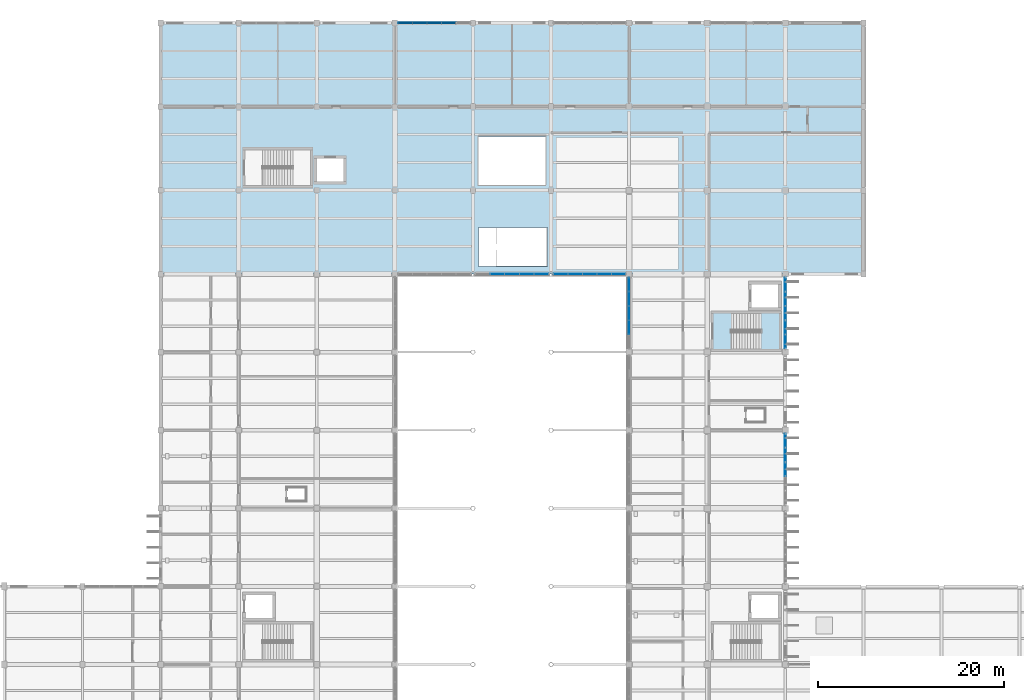
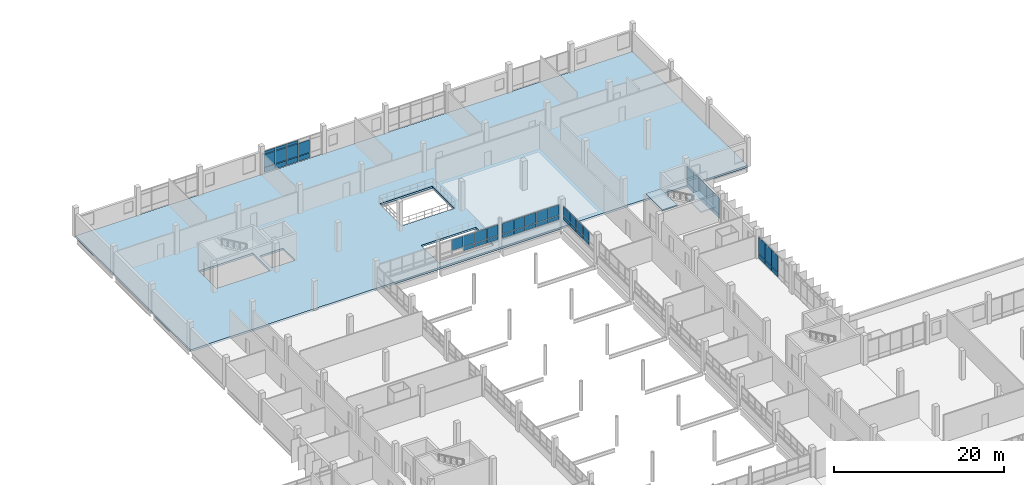
# One storey, part 78 of 101: 52 plates, 3 slabs, 4 openings, 7 elements without a shape of their own.
"""IFC4 building model written with IfcOpenShell, lengths in metres."""

from ifc_helpers import new_model, si_unit, direction, frame, origin, origin_2d, place, context, subcontext, project, spatial, polyline, rectangle, outline, extrude, material, layer, layer_set, type_object, element, aggregate, save


model = new_model("IFC4")

# Units and contexts
model_context = context("Model", 3, precision=1e-05, world=origin(), true_north=direction((0.0, 1.0)))
body_context = subcontext(model_context, "Body", "Model", "MODEL_VIEW")
ifc_project = project(units=[si_unit("LENGTHUNIT", "METRE"), si_unit("AREAUNIT", "SQUARE_METRE"), si_unit("VOLUMEUNIT", "CUBIC_METRE"), si_unit("PLANEANGLEUNIT", "RADIAN"), si_unit("MASSUNIT", "GRAM", prefix="KILO")], contexts=[model_context])

# Site, building, storey
site_placement = place(None, origin())
site = spatial("IfcSite", under=ifc_project, at=site_placement, CompositionType="ELEMENT")
building_placement = place(site_placement, origin())
building = spatial("IfcBuilding", under=site, at=building_placement, Name="Vireocrest Preparatory School", CompositionType="ELEMENT")
storey_placement = place(building_placement, frame((0.0, 0.0, 4.800048828125)))
storey = spatial("IfcBuildingStorey", under=building, at=storey_placement, Name="L01", CompositionType="ELEMENT", Elevation=4.800048828125)

# Curtain wall, plates
ifc_material_1 = material(Name="Thermally broken aluminium EN AW-6063-T6", Category="aluminium")
ifc_layer_1 = layer(ifc_material_1, 0.179931640625)
ifc_layer_set_1 = layer_set([ifc_layer_1], Name="Thermally broken aluminium EN AW-6063-T6")
curtain_wall_type_1 = type_object("IfcCurtainWallType", Name="Teaching Fin Curtain Wall 8400x4200", PredefinedType="USERDEFINED", material=ifc_layer_set_1)
curtain_wall_1_placement = place(storey_placement, origin())
curtain_wall_1 = element("IfcCurtainWall", 1, at=curtain_wall_1_placement, inside=storey, type_object=curtain_wall_type_1, Name="Curtain Wall CW03 CW_L01_CW03_1092_0609_048", ObjectType="CURTAIN WALL", PredefinedType="USERDEFINED")
ifc_material_2 = material(Name="Insulated triple low-e tempered safety glass", Category="glass")
ifc_layer_2 = layer(ifc_material_2, 0.074951171875)
ifc_layer_set_2 = layer_set([ifc_layer_2], Name="Insulated triple low-e tempered safety glass")
plate_type_1 = type_object("IfcPlateType", Name="Acoustic Triple-Glazed Lab Curtain Panel 75", PredefinedType="CURTAIN_PANEL", material=ifc_layer_set_2)
plate_1_placement = place(storey_placement, frame((109.199951171875, 64.800048828125, 0.12744140625), z_axis=(0.0, 0.0, 1.0), x_axis=(0.0, 1.0, 0.0)))
plate_1 = element("IfcPlate", 2, at=plate_1_placement, type_object=plate_type_1, Name="CW Panel GL2 CW_L01_CW03_1092_0609_048-3-1", PredefinedType="CURTAIN_PANEL", context=body_context, shape_type="SweptSolid", body=[
    extrude(rectangle(XDim=1.470947265625, YDim=0.074951171875, at=origin_2d()), origin(), (0.0, 0.0, 1.0), 0.5400390625),
])
plate_2_placement = place(storey_placement, frame((109.199951171875, 64.800048828125, 0.732421875), z_axis=(0.0, 0.0, 1.0), x_axis=(0.0, 1.0, 0.0)))
plate_2 = element("IfcPlate", 3, at=plate_2_placement, type_object=plate_type_1, Name="CW Panel GL2 CW_L01_CW03_1092_0609_048-3-2", PredefinedType="CURTAIN_PANEL", context=body_context, shape_type="SweptSolid", body=[
    extrude(rectangle(XDim=1.470947265625, YDim=0.074951171875, at=origin_2d()), origin(), (0.0, 0.0, 1.0), 2.360107421875),
])
plate_3_placement = place(storey_placement, frame((109.199951171875, 66.3359375, 0.12744140625), z_axis=(0.0, 0.0, 1.0), x_axis=(0.0, 1.0, 0.0)))
plate_3 = element("IfcPlate", 4, at=plate_3_placement, type_object=plate_type_1, Name="CW Panel GL2 CW_L01_CW03_1092_0609_048-4-1", PredefinedType="CURTAIN_PANEL", context=body_context, shape_type="SweptSolid", body=[
    extrude(rectangle(XDim=1.470947265625, YDim=0.074951171875, at=origin_2d()), origin(), (0.0, 0.0, 1.0), 0.5400390625),
])
plate_4_placement = place(storey_placement, frame((109.199951171875, 66.3359375, 0.732421875), z_axis=(0.0, 0.0, 1.0), x_axis=(0.0, 1.0, 0.0)))
plate_4 = element("IfcPlate", 5, at=plate_4_placement, type_object=plate_type_1, Name="CW Panel GL2 CW_L01_CW03_1092_0609_048-4-2", PredefinedType="CURTAIN_PANEL", context=body_context, shape_type="SweptSolid", body=[
    extrude(rectangle(XDim=1.470947265625, YDim=0.074951171875, at=origin_2d()), origin(), (0.0, 0.0, 1.0), 2.360107421875),
])
plate_5_placement = place(storey_placement, frame((109.199951171875, 67.8720703125, 0.12744140625), z_axis=(0.0, 0.0, 1.0), x_axis=(0.0, 1.0, 0.0)))
plate_5 = element("IfcPlate", 6, at=plate_5_placement, type_object=plate_type_1, Name="CW Panel GL2 CW_L01_CW03_1092_0609_048-5-1", PredefinedType="CURTAIN_PANEL", context=body_context, shape_type="SweptSolid", body=[
    extrude(rectangle(XDim=1.470947265625, YDim=0.074951171875, at=origin_2d()), origin(), (0.0, 0.0, 1.0), 0.5400390625),
])
plate_6_placement = place(storey_placement, frame((109.199951171875, 67.8720703125, 0.732421875), z_axis=(0.0, 0.0, 1.0), x_axis=(0.0, 1.0, 0.0)))
plate_6 = element("IfcPlate", 7, at=plate_6_placement, type_object=plate_type_1, Name="CW Panel GL2 CW_L01_CW03_1092_0609_048-5-2", PredefinedType="CURTAIN_PANEL", context=body_context, shape_type="SweptSolid", body=[
    extrude(rectangle(XDim=1.470947265625, YDim=0.074951171875, at=origin_2d()), origin(), (0.0, 0.0, 1.0), 2.360107421875),
])
aggregate(curtain_wall_1, [plate_1, plate_2, plate_3, plate_4, plate_5, plate_6])

curtain_wall_2_placement = place(storey_placement, origin())
curtain_wall_2 = element("IfcCurtainWall", 8, at=curtain_wall_2_placement, inside=storey, type_object=curtain_wall_type_1, Name="Curtain Wall CW03 CW_L01_CW03_1092_0777_048", ObjectType="CURTAIN WALL", PredefinedType="USERDEFINED")
plate_7_placement = place(storey_placement, frame((109.199951171875, 78.528076171875, 0.12744140625), z_axis=(0.0, 0.0, 1.0), x_axis=(0.0, 1.0, 0.0)))
plate_7 = element("IfcPlate", 9, at=plate_7_placement, type_object=plate_type_1, Name="CW Panel GL2 CW_L01_CW03_1092_0777_048-1-1", PredefinedType="CURTAIN_PANEL", context=body_context, shape_type="SweptSolid", body=[
    extrude(rectangle(XDim=1.470947265625, YDim=0.074951171875, at=origin_2d()), origin(), (0.0, 0.0, 1.0), 0.5400390625),
])
plate_8_placement = place(storey_placement, frame((109.199951171875, 78.528076171875, 0.732421875), z_axis=(0.0, 0.0, 1.0), x_axis=(0.0, 1.0, 0.0)))
plate_8 = element("IfcPlate", 10, at=plate_8_placement, type_object=plate_type_1, Name="CW Panel GL2 CW_L01_CW03_1092_0777_048-1-2", PredefinedType="CURTAIN_PANEL", context=body_context, shape_type="SweptSolid", body=[
    extrude(rectangle(XDim=1.470947265625, YDim=0.074951171875, at=origin_2d()), origin(), (0.0, 0.0, 1.0), 2.360107421875),
])
plate_9_placement = place(storey_placement, frame((109.199951171875, 80.06396484375, 0.12744140625), z_axis=(0.0, 0.0, 1.0), x_axis=(0.0, 1.0, 0.0)))
plate_9 = element("IfcPlate", 11, at=plate_9_placement, type_object=plate_type_1, Name="CW Panel GL2 CW_L01_CW03_1092_0777_048-2-1", PredefinedType="CURTAIN_PANEL", context=body_context, shape_type="SweptSolid", body=[
    extrude(rectangle(XDim=1.470947265625, YDim=0.074951171875, at=origin_2d()), origin(), (0.0, 0.0, 1.0), 0.5400390625),
])
plate_10_placement = place(storey_placement, frame((109.199951171875, 80.06396484375, 0.732421875), z_axis=(0.0, 0.0, 1.0), x_axis=(0.0, 1.0, 0.0)))
plate_10 = element("IfcPlate", 12, at=plate_10_placement, type_object=plate_type_1, Name="CW Panel GL2 CW_L01_CW03_1092_0777_048-2-2", PredefinedType="CURTAIN_PANEL", context=body_context, shape_type="SweptSolid", body=[
    extrude(rectangle(XDim=1.470947265625, YDim=0.074951171875, at=origin_2d()), origin(), (0.0, 0.0, 1.0), 2.360107421875),
])
plate_11_placement = place(storey_placement, frame((109.199951171875, 81.60009765625, 0.12744140625), z_axis=(0.0, 0.0, 1.0), x_axis=(0.0, 1.0, 0.0)))
plate_11 = element("IfcPlate", 13, at=plate_11_placement, type_object=plate_type_1, Name="CW Panel GL2 CW_L01_CW03_1092_0777_048-3-1", PredefinedType="CURTAIN_PANEL", context=body_context, shape_type="SweptSolid", body=[
    extrude(rectangle(XDim=1.470947265625, YDim=0.074951171875, at=origin_2d()), origin(), (0.0, 0.0, 1.0), 0.5400390625),
])
plate_12_placement = place(storey_placement, frame((109.199951171875, 81.60009765625, 0.732421875), z_axis=(0.0, 0.0, 1.0), x_axis=(0.0, 1.0, 0.0)))
plate_12 = element("IfcPlate", 14, at=plate_12_placement, type_object=plate_type_1, Name="CW Panel GL2 CW_L01_CW03_1092_0777_048-3-2", PredefinedType="CURTAIN_PANEL", context=body_context, shape_type="SweptSolid", body=[
    extrude(rectangle(XDim=1.470947265625, YDim=0.074951171875, at=origin_2d()), origin(), (0.0, 0.0, 1.0), 2.360107421875),
])
plate_13_placement = place(storey_placement, frame((109.199951171875, 83.135986328125, 0.12744140625), z_axis=(0.0, 0.0, 1.0), x_axis=(0.0, 1.0, 0.0)))
plate_13 = element("IfcPlate", 15, at=plate_13_placement, type_object=plate_type_1, Name="CW Panel GL2 CW_L01_CW03_1092_0777_048-4-1", PredefinedType="CURTAIN_PANEL", context=body_context, shape_type="SweptSolid", body=[
    extrude(rectangle(XDim=1.470947265625, YDim=0.074951171875, at=origin_2d()), origin(), (0.0, 0.0, 1.0), 0.5400390625),
])
plate_14_placement = place(storey_placement, frame((109.199951171875, 83.135986328125, 0.732421875), z_axis=(0.0, 0.0, 1.0), x_axis=(0.0, 1.0, 0.0)))
plate_14 = element("IfcPlate", 16, at=plate_14_placement, type_object=plate_type_1, Name="CW Panel GL2 CW_L01_CW03_1092_0777_048-4-2", PredefinedType="CURTAIN_PANEL", context=body_context, shape_type="SweptSolid", body=[
    extrude(rectangle(XDim=1.470947265625, YDim=0.074951171875, at=origin_2d()), origin(), (0.0, 0.0, 1.0), 2.360107421875),
])
plate_15_placement = place(storey_placement, frame((109.199951171875, 84.672119140625, 0.12744140625), z_axis=(0.0, 0.0, 1.0), x_axis=(0.0, 1.0, 0.0)))
plate_15 = element("IfcPlate", 17, at=plate_15_placement, type_object=plate_type_1, Name="CW Panel GL2 CW_L01_CW03_1092_0777_048-5-1", PredefinedType="CURTAIN_PANEL", context=body_context, shape_type="SweptSolid", body=[
    extrude(rectangle(XDim=1.470947265625, YDim=0.074951171875, at=origin_2d()), origin(), (0.0, 0.0, 1.0), 0.5400390625),
])
plate_16_placement = place(storey_placement, frame((109.199951171875, 84.672119140625, 0.732421875), z_axis=(0.0, 0.0, 1.0), x_axis=(0.0, 1.0, 0.0)))
plate_16 = element("IfcPlate", 18, at=plate_16_placement, type_object=plate_type_1, Name="CW Panel GL2 CW_L01_CW03_1092_0777_048-5-2", PredefinedType="CURTAIN_PANEL", context=body_context, shape_type="SweptSolid", body=[
    extrude(rectangle(XDim=1.470947265625, YDim=0.074951171875, at=origin_2d()), origin(), (0.0, 0.0, 1.0), 2.360107421875),
])
aggregate(curtain_wall_2, [plate_7, plate_8, plate_9, plate_10, plate_11, plate_12, plate_13, plate_14, plate_15, plate_16])

ifc_layer_3 = layer(ifc_material_1, 0.179931640625)
ifc_layer_set_3 = layer_set([ifc_layer_3], Name="Thermally broken aluminium EN AW-6063-T6")
curtain_wall_type_2 = type_object("IfcCurtainWallType", Name="North Street Curtain Wall 8400x4000", PredefinedType="USERDEFINED", material=ifc_layer_set_3)
curtain_wall_3_placement = place(storey_placement, origin())
curtain_wall_3 = element("IfcCurtainWall", 19, at=curtain_wall_3_placement, inside=storey, type_object=curtain_wall_type_2, Name="Curtain Wall CW05 CW_L01_CW05_0675_1128_048", ObjectType="CURTAIN WALL", PredefinedType="USERDEFINED")
plate_17_placement = place(storey_placement, frame((68.31298828125, 112.800048828125, 0.88232421875), z_axis=(0.0, 0.0, 1.0), x_axis=(1.0, 0.0, 0.0)))
plate_17 = element("IfcPlate", 20, at=plate_17_placement, type_object=plate_type_1, Name="CW Panel GL2 CW_L01_CW05_0675_1128_048-1-2", PredefinedType="CURTAIN_PANEL", context=body_context, shape_type="SweptSolid", body=[
    extrude(rectangle(XDim=1.490966796875, YDim=0.074951171875, at=origin_2d()), origin(), (0.0, 0.0, 1.0), 1.804931640625),
])
plate_18_placement = place(storey_placement, frame((68.31298828125, 112.800048828125, 2.75244140625), z_axis=(0.0, 0.0, 1.0), x_axis=(1.0, 0.0, 0.0)))
plate_18 = element("IfcPlate", 21, at=plate_18_placement, type_object=plate_type_1, Name="CW Panel GL2 CW_L01_CW05_0675_1128_048-1-3", PredefinedType="CURTAIN_PANEL", context=body_context, shape_type="SweptSolid", body=[
    extrude(rectangle(XDim=1.490966796875, YDim=0.074951171875, at=origin_2d()), origin(), (0.0, 0.0, 1.0), 0.409912109375),
])
plate_19_placement = place(storey_placement, frame((69.868896484375, 112.800048828125, 0.88232421875), z_axis=(0.0, 0.0, 1.0), x_axis=(1.0, 0.0, 0.0)))
plate_19 = element("IfcPlate", 22, at=plate_19_placement, type_object=plate_type_1, Name="CW Panel GL2 CW_L01_CW05_0675_1128_048-2-2", PredefinedType="CURTAIN_PANEL", context=body_context, shape_type="SweptSolid", body=[
    extrude(rectangle(XDim=1.490966796875, YDim=0.074951171875, at=origin_2d()), origin(), (0.0, 0.0, 1.0), 1.804931640625),
])
plate_20_placement = place(storey_placement, frame((69.868896484375, 112.800048828125, 2.75244140625), z_axis=(0.0, 0.0, 1.0), x_axis=(1.0, 0.0, 0.0)))
plate_20 = element("IfcPlate", 23, at=plate_20_placement, type_object=plate_type_1, Name="CW Panel GL2 CW_L01_CW05_0675_1128_048-2-3", PredefinedType="CURTAIN_PANEL", context=body_context, shape_type="SweptSolid", body=[
    extrude(rectangle(XDim=1.490966796875, YDim=0.074951171875, at=origin_2d()), origin(), (0.0, 0.0, 1.0), 0.409912109375),
])
plate_21_placement = place(storey_placement, frame((71.425048828125, 112.800048828125, 0.88232421875), z_axis=(0.0, 0.0, 1.0), x_axis=(1.0, 0.0, 0.0)))
plate_21 = element("IfcPlate", 24, at=plate_21_placement, type_object=plate_type_1, Name="CW Panel GL2 CW_L01_CW05_0675_1128_048-3-2", PredefinedType="CURTAIN_PANEL", context=body_context, shape_type="SweptSolid", body=[
    extrude(rectangle(XDim=1.490966796875, YDim=0.074951171875, at=origin_2d()), origin(), (0.0, 0.0, 1.0), 1.804931640625),
])
plate_22_placement = place(storey_placement, frame((71.425048828125, 112.800048828125, 2.75244140625), z_axis=(0.0, 0.0, 1.0), x_axis=(1.0, 0.0, 0.0)))
plate_22 = element("IfcPlate", 25, at=plate_22_placement, type_object=plate_type_1, Name="CW Panel GL2 CW_L01_CW05_0675_1128_048-3-3", PredefinedType="CURTAIN_PANEL", context=body_context, shape_type="SweptSolid", body=[
    extrude(rectangle(XDim=1.490966796875, YDim=0.074951171875, at=origin_2d()), origin(), (0.0, 0.0, 1.0), 0.409912109375),
])
plate_23_placement = place(storey_placement, frame((72.98095703125, 112.800048828125, 0.88232421875), z_axis=(0.0, 0.0, 1.0), x_axis=(1.0, 0.0, 0.0)))
plate_23 = element("IfcPlate", 26, at=plate_23_placement, type_object=plate_type_1, Name="CW Panel GL2 CW_L01_CW05_0675_1128_048-4-2", PredefinedType="CURTAIN_PANEL", context=body_context, shape_type="SweptSolid", body=[
    extrude(rectangle(XDim=1.490966796875, YDim=0.074951171875, at=origin_2d()), origin(), (0.0, 0.0, 1.0), 1.804931640625),
])

# Slab, openings
ifc_material_3 = material(Name="Concrete 40 MPa", Category="concrete")
ifc_layer_4 = layer(ifc_material_3, 0.280029296875)
ifc_layer_set_4 = layer_set([ifc_layer_4], Name="Concrete 40 MPa")
slab_type_1 = type_object("IfcSlabType", Name="Commons and Corridor Suspended RC Slab 280", PredefinedType="FLOOR", material=ifc_layer_set_4)
slab_1_placement = place(storey_placement, frame((0.0, 0.0, -0.280029296875)))
slab_1 = element("IfcSlab", 27, at=slab_1_placement, inside=storey, type_object=slab_type_1, Name="Slab L01_NORTH_BAR", PredefinedType="FLOOR", context=body_context, shape_type="SweptSolid", body=[
    extrude(outline(polyline([(42.0, 85.800048828125), (117.60009765625, 85.800048828125), (117.60009765625, 112.800048828125), (42.0, 112.800048828125), (42.0, 85.800048828125)])), origin(), (0.0, 0.0, 1.0), 0.280029296875),
])
opening_1_placement = place(slab_1_placement, frame((0.0, 0.0, -0.010009765625)))
element("IfcOpeningElement", 28, at=opening_1_placement, cuts=slab_1, Name="Slab Opening SLAB_L01_NORTH_BAR-1", PredefinedType="OPENING", context=body_context, shape_type="SweptSolid", body=[
    extrude(outline(polyline([(50.949951171875, 95.199951171875), (58.25, 95.199951171875), (58.25, 99.300048828125), (50.949951171875, 99.300048828125), (50.949951171875, 95.199951171875)])), origin(), (0.0, 0.0, 1.0), 0.300048828125),
])
opening_2_placement = place(slab_1_placement, frame((0.0, 0.0, -0.010009765625)))
element("IfcOpeningElement", 29, at=opening_2_placement, cuts=slab_1, Name="Slab Opening SLAB_L01_NORTH_BAR-2", PredefinedType="OPENING", context=body_context, shape_type="SweptSolid", body=[
    extrude(outline(polyline([(58.64990234375, 95.60009765625), (61.85009765625, 95.60009765625), (61.85009765625, 98.39990234375), (58.64990234375, 98.39990234375), (58.64990234375, 95.60009765625)])), origin(), (0.0, 0.0, 1.0), 0.300048828125),
])
opening_3_placement = place(slab_1_placement, frame((0.0, 0.0, -0.010009765625)))
element("IfcOpeningElement", 30, at=opening_3_placement, cuts=slab_1, Name="Slab Opening SLAB_L01_NORTH_BAR-3", PredefinedType="OPENING", context=body_context, shape_type="SweptSolid", body=[
    extrude(outline(polyline([(76.199951171875, 86.60009765625), (83.60009765625, 86.60009765625), (83.60009765625, 90.800048828125), (76.199951171875, 90.800048828125), (76.199951171875, 86.60009765625)])), origin(), (0.0, 0.0, 1.0), 0.300048828125),
])
opening_4_placement = place(slab_1_placement, frame((0.0, 0.0, -0.010009765625)))
element("IfcOpeningElement", 31, at=opening_4_placement, cuts=slab_1, Name="Slab Opening SLAB_L01_NORTH_BAR-4", PredefinedType="OPENING", context=body_context, shape_type="SweptSolid", body=[
    extrude(outline(polyline([(76.199951171875, 95.39990234375), (83.39990234375, 95.39990234375), (83.39990234375, 100.60009765625), (76.199951171875, 100.60009765625), (76.199951171875, 95.39990234375)])), origin(), (0.0, 0.0, 1.0), 0.300048828125),
])

# Plate
ifc_material_4 = material(Name="Painted white aluminium cladding EN AW-6063-T6", Category="aluminium")
ifc_layer_5 = layer(ifc_material_4, 0.114990234375)
ifc_layer_set_5 = layer_set([ifc_layer_5], Name="Painted white aluminium cladding EN AW-6063-T6")
plate_type_2 = type_object("IfcPlateType", Name="Insulated White Spandrel Curtain Panel 115", PredefinedType="CURTAIN_PANEL", material=ifc_layer_set_5)
plate_24_placement = place(storey_placement, frame((68.31298828125, 112.800048828125, 0.12744140625), z_axis=(0.0, 0.0, 1.0), x_axis=(1.0, 0.0, 0.0)))
plate_24 = element("IfcPlate", 32, at=plate_24_placement, type_object=plate_type_2, Name="CW Panel SP2 CW_L01_CW05_0675_1128_048-1-1", PredefinedType="CURTAIN_PANEL", context=body_context, shape_type="SweptSolid", body=[
    extrude(rectangle(XDim=1.490966796875, YDim=0.114990234375, at=origin_2d()), origin(), (0.0, 0.0, 1.0), 0.68994140625),
])

plate_25_placement = place(storey_placement, frame((69.868896484375, 112.800048828125, 0.12744140625), z_axis=(0.0, 0.0, 1.0), x_axis=(1.0, 0.0, 0.0)))
plate_25 = element("IfcPlate", 33, at=plate_25_placement, type_object=plate_type_2, Name="CW Panel SP2 CW_L01_CW05_0675_1128_048-2-1", PredefinedType="CURTAIN_PANEL", context=body_context, shape_type="SweptSolid", body=[
    extrude(rectangle(XDim=1.490966796875, YDim=0.114990234375, at=origin_2d()), origin(), (0.0, 0.0, 1.0), 0.68994140625),
])

plate_26_placement = place(storey_placement, frame((71.425048828125, 112.800048828125, 0.12744140625), z_axis=(0.0, 0.0, 1.0), x_axis=(1.0, 0.0, 0.0)))
plate_26 = element("IfcPlate", 34, at=plate_26_placement, type_object=plate_type_2, Name="CW Panel SP2 CW_L01_CW05_0675_1128_048-3-1", PredefinedType="CURTAIN_PANEL", context=body_context, shape_type="SweptSolid", body=[
    extrude(rectangle(XDim=1.490966796875, YDim=0.114990234375, at=origin_2d()), origin(), (0.0, 0.0, 1.0), 0.68994140625),
])

plate_27_placement = place(storey_placement, frame((72.98095703125, 112.800048828125, 0.12744140625), z_axis=(0.0, 0.0, 1.0), x_axis=(1.0, 0.0, 0.0)))
plate_27 = element("IfcPlate", 35, at=plate_27_placement, type_object=plate_type_2, Name="CW Panel SP2 CW_L01_CW05_0675_1128_048-4-1", PredefinedType="CURTAIN_PANEL", context=body_context, shape_type="SweptSolid", body=[
    extrude(rectangle(XDim=1.490966796875, YDim=0.114990234375, at=origin_2d()), origin(), (0.0, 0.0, 1.0), 0.68994140625),
])

aggregate(curtain_wall_3, [plate_24, plate_17, plate_18, plate_25, plate_19, plate_20, plate_26, plate_21, plate_22, plate_27, plate_23])

# Stair, slabs
stair_type = type_object("IfcStairType", Name="Feature Library Stair 4200 Rise 1800 Wide", PredefinedType="HALF_TURN_STAIR", material=ifc_material_3)
stair_placement = place(storey_placement, origin())
stair = element("IfcStair", 36, at=stair_placement, inside=storey, type_object=stair_type, Name="Two-Run Stair ST4-L01", PredefinedType="HALF_TURN_STAIR")
ifc_layer_6 = layer(ifc_material_3, 0.179931640625)
ifc_layer_set_6 = layer_set([ifc_layer_6], Name="Concrete 40 MPa")
slab_type_2 = type_object("IfcSlabType", Name="Precast Concrete Stair Landing Slab 180", PredefinedType="LANDING", material=ifc_layer_set_6)
slab_2_placement = place(storey_placement, frame((0.0, 0.0, 1.919921875)))
slab_2 = element("IfcSlab", 37, at=slab_2_placement, type_object=slab_type_2, Name="Stair Half-Landing ST4-L01", PredefinedType="LANDING", context=body_context, shape_type="SweptSolid", body=[
    extrude(outline(polyline([(106.590087890625, 77.7099609375), (108.64501953125, 77.7099609375), (108.64501953125, 81.590087890625), (106.590087890625, 81.590087890625), (106.590087890625, 77.7099609375)])), origin(), (0.0, 0.0, 1.0), 0.179931640625),
])
slab_3_placement = place(storey_placement, frame((0.0, 0.0, 4.02001953125)))
slab_3 = element("IfcSlab", 38, at=slab_3_placement, type_object=slab_type_2, Name="Stair Arrival Landing ST4-L01", PredefinedType="LANDING", context=body_context, shape_type="SweptSolid", body=[
    extrude(outline(polyline([(101.35498046875, 77.7099609375), (103.409912109375, 77.7099609375), (103.409912109375, 81.590087890625), (101.35498046875, 81.590087890625), (101.35498046875, 77.7099609375)])), origin(), (0.0, 0.0, 1.0), 0.179931640625),
])
aggregate(stair, [slab_2, slab_3])

# Curtain wall, plates
ifc_layer_7 = layer(ifc_material_1, 0.179931640625)
ifc_layer_set_7 = layer_set([ifc_layer_7], Name="Thermally broken aluminium EN AW-6063-T6")
curtain_wall_type_3 = type_object("IfcCurtainWallType", Name="Court Banded Curtain Wall 8400x3600", PredefinedType="USERDEFINED", material=ifc_layer_set_7)
curtain_wall_4_placement = place(storey_placement, origin())
curtain_wall_4 = element("IfcCurtainWall", 39, at=curtain_wall_4_placement, inside=storey, type_object=curtain_wall_type_3, Name="Curtain Wall CW01 CW_L01_CW01_0758_0858_059", ObjectType="CURTAIN WALL", PredefinedType="USERDEFINED")
ifc_layer_8 = layer(ifc_material_2, 0.06005859375)
ifc_layer_set_8 = layer_set([ifc_layer_8], Name="Insulated triple low-e tempered safety glass")
plate_type_3 = type_object("IfcPlateType", Name="Triple-Glazed Vision Curtain Panel 60", PredefinedType="CURTAIN_PANEL", material=ifc_layer_set_8)
plate_28_placement = place(storey_placement, frame((78.2255859375, 85.800048828125, 1.83251953125), z_axis=(0.0, 0.0, 1.0), x_axis=(1.0, 0.0, 0.0)))
plate_28 = element("IfcPlate", 40, at=plate_28_placement, type_object=plate_type_3, Name="CW Panel GL1 CW_L01_CW01_0758_0858_059-2-2", PredefinedType="CURTAIN_PANEL", context=body_context, shape_type="SweptSolid", body=[
    extrude(rectangle(XDim=1.509521484375, YDim=0.06005859375, at=origin_2d()), origin(), (0.0, 0.0, 1.0), 1.5400390625),
])
plate_29_placement = place(storey_placement, frame((79.800048828125, 85.800048828125, 1.2275390625), z_axis=(0.0, 0.0, 1.0), x_axis=(1.0, 0.0, 0.0)))
plate_29 = element("IfcPlate", 41, at=plate_29_placement, type_object=plate_type_3, Name="CW Panel GL1 CW_L01_CW01_0758_0858_059-3-1", PredefinedType="CURTAIN_PANEL", context=body_context, shape_type="SweptSolid", body=[
    extrude(rectangle(XDim=1.509521484375, YDim=0.06005859375, at=origin_2d()), origin(), (0.0, 0.0, 1.0), 0.5400390625),
])
plate_30_placement = place(storey_placement, frame((79.800048828125, 85.800048828125, 1.83251953125), z_axis=(0.0, 0.0, 1.0), x_axis=(1.0, 0.0, 0.0)))
plate_30 = element("IfcPlate", 42, at=plate_30_placement, type_object=plate_type_3, Name="CW Panel GL1 CW_L01_CW01_0758_0858_059-3-2", PredefinedType="CURTAIN_PANEL", context=body_context, shape_type="SweptSolid", body=[
    extrude(rectangle(XDim=1.509521484375, YDim=0.06005859375, at=origin_2d()), origin(), (0.0, 0.0, 1.0), 1.5400390625),
])
plate_31_placement = place(storey_placement, frame((81.37451171875, 85.800048828125, 1.2275390625), z_axis=(0.0, 0.0, 1.0), x_axis=(1.0, 0.0, 0.0)))
plate_31 = element("IfcPlate", 43, at=plate_31_placement, type_object=plate_type_3, Name="CW Panel GL1 CW_L01_CW01_0758_0858_059-4-1", PredefinedType="CURTAIN_PANEL", context=body_context, shape_type="SweptSolid", body=[
    extrude(rectangle(XDim=1.509521484375, YDim=0.06005859375, at=origin_2d()), origin(), (0.0, 0.0, 1.0), 0.5400390625),
])
plate_32_placement = place(storey_placement, frame((81.37451171875, 85.800048828125, 1.83251953125), z_axis=(0.0, 0.0, 1.0), x_axis=(1.0, 0.0, 0.0)))
plate_32 = element("IfcPlate", 44, at=plate_32_placement, type_object=plate_type_3, Name="CW Panel GL1 CW_L01_CW01_0758_0858_059-4-2", PredefinedType="CURTAIN_PANEL", context=body_context, shape_type="SweptSolid", body=[
    extrude(rectangle(XDim=1.509521484375, YDim=0.06005859375, at=origin_2d()), origin(), (0.0, 0.0, 1.0), 1.5400390625),
])
plate_33_placement = place(storey_placement, frame((82.94921875, 85.800048828125, 1.2275390625), z_axis=(0.0, 0.0, 1.0), x_axis=(1.0, 0.0, 0.0)))
plate_33 = element("IfcPlate", 45, at=plate_33_placement, type_object=plate_type_3, Name="CW Panel GL1 CW_L01_CW01_0758_0858_059-5-1", PredefinedType="CURTAIN_PANEL", context=body_context, shape_type="SweptSolid", body=[
    extrude(rectangle(XDim=1.509521484375, YDim=0.06005859375, at=origin_2d()), origin(), (0.0, 0.0, 1.0), 0.5400390625),
])
plate_34_placement = place(storey_placement, frame((82.94921875, 85.800048828125, 1.83251953125), z_axis=(0.0, 0.0, 1.0), x_axis=(1.0, 0.0, 0.0)))
plate_34 = element("IfcPlate", 46, at=plate_34_placement, type_object=plate_type_3, Name="CW Panel GL1 CW_L01_CW01_0758_0858_059-5-2", PredefinedType="CURTAIN_PANEL", context=body_context, shape_type="SweptSolid", body=[
    extrude(rectangle(XDim=1.509521484375, YDim=0.06005859375, at=origin_2d()), origin(), (0.0, 0.0, 1.0), 1.5400390625),
])
aggregate(curtain_wall_4, [plate_28, plate_29, plate_30, plate_31, plate_32, plate_33, plate_34])

curtain_wall_5_placement = place(storey_placement, origin())
curtain_wall_5 = element("IfcCurtainWall", 47, at=curtain_wall_5_placement, inside=storey, type_object=curtain_wall_type_3, Name="Curtain Wall CW01 CW_L01_CW01_0842_0858_059", ObjectType="CURTAIN WALL", PredefinedType="USERDEFINED")
plate_35_placement = place(storey_placement, frame((85.041259765625, 85.800048828125, 1.2275390625), z_axis=(0.0, 0.0, 1.0), x_axis=(1.0, 0.0, 0.0)))
plate_35 = element("IfcPlate", 48, at=plate_35_placement, type_object=plate_type_3, Name="CW Panel GL1 CW_L01_CW01_0842_0858_059-1-1", PredefinedType="CURTAIN_PANEL", context=body_context, shape_type="SweptSolid", body=[
    extrude(rectangle(XDim=1.490234375, YDim=0.06005859375, at=origin_2d()), origin(), (0.0, 0.0, 1.0), 0.5400390625),
])
plate_36_placement = place(storey_placement, frame((85.041259765625, 85.800048828125, 1.83251953125), z_axis=(0.0, 0.0, 1.0), x_axis=(1.0, 0.0, 0.0)))
plate_36 = element("IfcPlate", 49, at=plate_36_placement, type_object=plate_type_3, Name="CW Panel GL1 CW_L01_CW01_0842_0858_059-1-2", PredefinedType="CURTAIN_PANEL", context=body_context, shape_type="SweptSolid", body=[
    extrude(rectangle(XDim=1.490234375, YDim=0.06005859375, at=origin_2d()), origin(), (0.0, 0.0, 1.0), 1.489990234375),
])
plate_37_placement = place(storey_placement, frame((86.596435546875, 85.800048828125, 1.2275390625), z_axis=(0.0, 0.0, 1.0), x_axis=(1.0, 0.0, 0.0)))
plate_37 = element("IfcPlate", 50, at=plate_37_placement, type_object=plate_type_3, Name="CW Panel GL1 CW_L01_CW01_0842_0858_059-2-1", PredefinedType="CURTAIN_PANEL", context=body_context, shape_type="SweptSolid", body=[
    extrude(rectangle(XDim=1.490234375, YDim=0.06005859375, at=origin_2d()), origin(), (0.0, 0.0, 1.0), 0.5400390625),
])
plate_38_placement = place(storey_placement, frame((86.596435546875, 85.800048828125, 1.83251953125), z_axis=(0.0, 0.0, 1.0), x_axis=(1.0, 0.0, 0.0)))
plate_38 = element("IfcPlate", 51, at=plate_38_placement, type_object=plate_type_3, Name="CW Panel GL1 CW_L01_CW01_0842_0858_059-2-2", PredefinedType="CURTAIN_PANEL", context=body_context, shape_type="SweptSolid", body=[
    extrude(rectangle(XDim=1.490234375, YDim=0.06005859375, at=origin_2d()), origin(), (0.0, 0.0, 1.0), 1.489990234375),
])
plate_39_placement = place(storey_placement, frame((88.15185546875, 85.800048828125, 1.2275390625), z_axis=(0.0, 0.0, 1.0), x_axis=(1.0, 0.0, 0.0)))
plate_39 = element("IfcPlate", 52, at=plate_39_placement, type_object=plate_type_3, Name="CW Panel GL1 CW_L01_CW01_0842_0858_059-3-1", PredefinedType="CURTAIN_PANEL", context=body_context, shape_type="SweptSolid", body=[
    extrude(rectangle(XDim=1.490234375, YDim=0.06005859375, at=origin_2d()), origin(), (0.0, 0.0, 1.0), 0.5400390625),
])
plate_40_placement = place(storey_placement, frame((88.15185546875, 85.800048828125, 1.83251953125), z_axis=(0.0, 0.0, 1.0), x_axis=(1.0, 0.0, 0.0)))
plate_40 = element("IfcPlate", 53, at=plate_40_placement, type_object=plate_type_3, Name="CW Panel GL1 CW_L01_CW01_0842_0858_059-3-2", PredefinedType="CURTAIN_PANEL", context=body_context, shape_type="SweptSolid", body=[
    extrude(rectangle(XDim=1.490234375, YDim=0.06005859375, at=origin_2d()), origin(), (0.0, 0.0, 1.0), 1.489990234375),
])
plate_41_placement = place(storey_placement, frame((89.70703125, 85.800048828125, 1.2275390625), z_axis=(0.0, 0.0, 1.0), x_axis=(1.0, 0.0, 0.0)))
plate_41 = element("IfcPlate", 54, at=plate_41_placement, type_object=plate_type_3, Name="CW Panel GL1 CW_L01_CW01_0842_0858_059-4-1", PredefinedType="CURTAIN_PANEL", context=body_context, shape_type="SweptSolid", body=[
    extrude(rectangle(XDim=1.490234375, YDim=0.06005859375, at=origin_2d()), origin(), (0.0, 0.0, 1.0), 0.5400390625),
])
plate_42_placement = place(storey_placement, frame((89.70703125, 85.800048828125, 1.83251953125), z_axis=(0.0, 0.0, 1.0), x_axis=(1.0, 0.0, 0.0)))
plate_42 = element("IfcPlate", 55, at=plate_42_placement, type_object=plate_type_3, Name="CW Panel GL1 CW_L01_CW01_0842_0858_059-4-2", PredefinedType="CURTAIN_PANEL", context=body_context, shape_type="SweptSolid", body=[
    extrude(rectangle(XDim=1.490234375, YDim=0.06005859375, at=origin_2d()), origin(), (0.0, 0.0, 1.0), 1.489990234375),
])
plate_43_placement = place(storey_placement, frame((91.26220703125, 85.800048828125, 1.2275390625), z_axis=(0.0, 0.0, 1.0), x_axis=(1.0, 0.0, 0.0)))
plate_43 = element("IfcPlate", 56, at=plate_43_placement, type_object=plate_type_3, Name="CW Panel GL1 CW_L01_CW01_0842_0858_059-5-1", PredefinedType="CURTAIN_PANEL", context=body_context, shape_type="SweptSolid", body=[
    extrude(rectangle(XDim=1.490234375, YDim=0.06005859375, at=origin_2d()), origin(), (0.0, 0.0, 1.0), 0.5400390625),
])
plate_44_placement = place(storey_placement, frame((91.26220703125, 85.800048828125, 1.83251953125), z_axis=(0.0, 0.0, 1.0), x_axis=(1.0, 0.0, 0.0)))
plate_44 = element("IfcPlate", 57, at=plate_44_placement, type_object=plate_type_3, Name="CW Panel GL1 CW_L01_CW01_0842_0858_059-5-2", PredefinedType="CURTAIN_PANEL", context=body_context, shape_type="SweptSolid", body=[
    extrude(rectangle(XDim=1.490234375, YDim=0.06005859375, at=origin_2d()), origin(), (0.0, 0.0, 1.0), 1.489990234375),
])
aggregate(curtain_wall_5, [plate_35, plate_36, plate_37, plate_38, plate_39, plate_40, plate_41, plate_42, plate_43, plate_44])

ifc_layer_9 = layer(ifc_material_1, 0.179931640625)
ifc_layer_set_9 = layer_set([ifc_layer_9], Name="Thermally broken aluminium EN AW-6063-T6")
curtain_wall_type_4 = type_object("IfcCurtainWallType", Name="Court Banded Curtain Wall 8400x3000", PredefinedType="USERDEFINED", material=ifc_layer_set_9)
curtain_wall_6_placement = place(storey_placement, origin())
curtain_wall_6 = element("IfcCurtainWall", 58, at=curtain_wall_6_placement, inside=storey, type_object=curtain_wall_type_4, Name="Curtain Wall CW02 CW_L01_CW02_0924_0777_060", ObjectType="CURTAIN WALL", PredefinedType="USERDEFINED")
plate_45_placement = place(storey_placement, frame((92.39990234375, 80.06396484375, 1.27734375), z_axis=(0.0, 0.0, 1.0), x_axis=(0.0, 1.0, 0.0)))
plate_45 = element("IfcPlate", 59, at=plate_45_placement, type_object=plate_type_3, Name="CW Panel GL1 CW_L01_CW02_0924_0777_060-2-1", PredefinedType="CURTAIN_PANEL", context=body_context, shape_type="SweptSolid", body=[
    extrude(rectangle(XDim=1.470947265625, YDim=0.06005859375, at=origin_2d()), origin(), (0.0, 0.0, 1.0), 0.5400390625),
])
plate_46_placement = place(storey_placement, frame((92.39990234375, 80.06396484375, 1.88232421875), z_axis=(0.0, 0.0, 1.0), x_axis=(0.0, 1.0, 0.0)))
plate_46 = element("IfcPlate", 60, at=plate_46_placement, type_object=plate_type_3, Name="CW Panel GL1 CW_L01_CW02_0924_0777_060-2-2", PredefinedType="CURTAIN_PANEL", context=body_context, shape_type="SweptSolid", body=[
    extrude(rectangle(XDim=1.470947265625, YDim=0.06005859375, at=origin_2d()), origin(), (0.0, 0.0, 1.0), 1.31005859375),
])
plate_47_placement = place(storey_placement, frame((92.39990234375, 81.60009765625, 1.27734375), z_axis=(0.0, 0.0, 1.0), x_axis=(0.0, 1.0, 0.0)))
plate_47 = element("IfcPlate", 61, at=plate_47_placement, type_object=plate_type_3, Name="CW Panel GL1 CW_L01_CW02_0924_0777_060-3-1", PredefinedType="CURTAIN_PANEL", context=body_context, shape_type="SweptSolid", body=[
    extrude(rectangle(XDim=1.470947265625, YDim=0.06005859375, at=origin_2d()), origin(), (0.0, 0.0, 1.0), 0.5400390625),
])
plate_48_placement = place(storey_placement, frame((92.39990234375, 81.60009765625, 1.88232421875), z_axis=(0.0, 0.0, 1.0), x_axis=(0.0, 1.0, 0.0)))
plate_48 = element("IfcPlate", 62, at=plate_48_placement, type_object=plate_type_3, Name="CW Panel GL1 CW_L01_CW02_0924_0777_060-3-2", PredefinedType="CURTAIN_PANEL", context=body_context, shape_type="SweptSolid", body=[
    extrude(rectangle(XDim=1.470947265625, YDim=0.06005859375, at=origin_2d()), origin(), (0.0, 0.0, 1.0), 1.31005859375),
])
plate_49_placement = place(storey_placement, frame((92.39990234375, 83.135986328125, 1.27734375), z_axis=(0.0, 0.0, 1.0), x_axis=(0.0, 1.0, 0.0)))
plate_49 = element("IfcPlate", 63, at=plate_49_placement, type_object=plate_type_3, Name="CW Panel GL1 CW_L01_CW02_0924_0777_060-4-1", PredefinedType="CURTAIN_PANEL", context=body_context, shape_type="SweptSolid", body=[
    extrude(rectangle(XDim=1.470947265625, YDim=0.06005859375, at=origin_2d()), origin(), (0.0, 0.0, 1.0), 0.5400390625),
])
plate_50_placement = place(storey_placement, frame((92.39990234375, 83.135986328125, 1.88232421875), z_axis=(0.0, 0.0, 1.0), x_axis=(0.0, 1.0, 0.0)))
plate_50 = element("IfcPlate", 64, at=plate_50_placement, type_object=plate_type_3, Name="CW Panel GL1 CW_L01_CW02_0924_0777_060-4-2", PredefinedType="CURTAIN_PANEL", context=body_context, shape_type="SweptSolid", body=[
    extrude(rectangle(XDim=1.470947265625, YDim=0.06005859375, at=origin_2d()), origin(), (0.0, 0.0, 1.0), 1.31005859375),
])
plate_51_placement = place(storey_placement, frame((92.39990234375, 84.672119140625, 1.27734375), z_axis=(0.0, 0.0, 1.0), x_axis=(0.0, 1.0, 0.0)))
plate_51 = element("IfcPlate", 65, at=plate_51_placement, type_object=plate_type_3, Name="CW Panel GL1 CW_L01_CW02_0924_0777_060-5-1", PredefinedType="CURTAIN_PANEL", context=body_context, shape_type="SweptSolid", body=[
    extrude(rectangle(XDim=1.470947265625, YDim=0.06005859375, at=origin_2d()), origin(), (0.0, 0.0, 1.0), 0.5400390625),
])
plate_52_placement = place(storey_placement, frame((92.39990234375, 84.672119140625, 1.88232421875), z_axis=(0.0, 0.0, 1.0), x_axis=(0.0, 1.0, 0.0)))
plate_52 = element("IfcPlate", 66, at=plate_52_placement, type_object=plate_type_3, Name="CW Panel GL1 CW_L01_CW02_0924_0777_060-5-2", PredefinedType="CURTAIN_PANEL", context=body_context, shape_type="SweptSolid", body=[
    extrude(rectangle(XDim=1.470947265625, YDim=0.06005859375, at=origin_2d()), origin(), (0.0, 0.0, 1.0), 1.31005859375),
])
aggregate(curtain_wall_6, [plate_45, plate_46, plate_47, plate_48, plate_49, plate_50, plate_51, plate_52])

save(model, "model.ifc")
